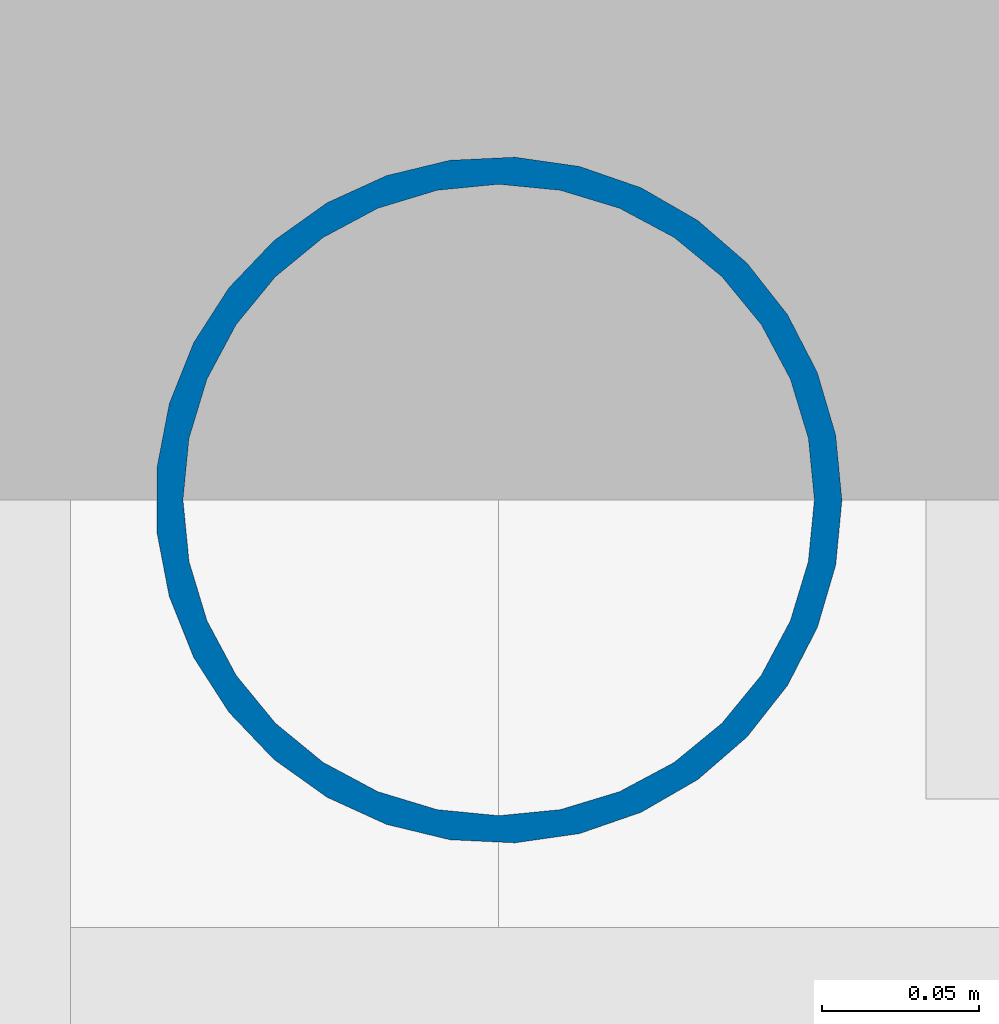
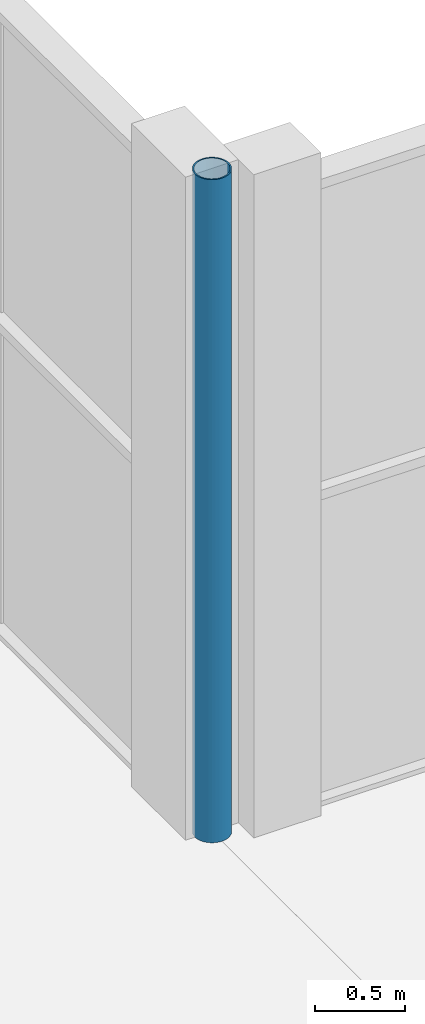
# One storey, part 2 of 75: 1 column.
"""IFC4 building model written with IfcOpenShell, lengths in metres."""

from ifc_helpers import new_model, si_unit, derived_unit, direction, frame, origin, origin_2d, place, context, subcontext, project, spatial, hollow_circle, extrude, material, material_profile, profile_set, type_object, element, save


model = new_model("IFC4")

# Units and contexts
model_context = context("Model", 3, precision=1e-05, world=origin(), true_north=direction((0.0, 1.0)))
body_context = subcontext(model_context, "Body", "Model", "MODEL_VIEW")
ifc_project = project(units=[si_unit("LENGTHUNIT", "METRE"), si_unit("AREAUNIT", "SQUARE_METRE"), si_unit("VOLUMEUNIT", "CUBIC_METRE"), si_unit("PLANEANGLEUNIT", "RADIAN"), si_unit("MASSUNIT", "GRAM", prefix="KILO"), derived_unit("THERMALTRANSMITTANCEUNIT", [(si_unit("POWERUNIT", "WATT"), 1), (si_unit("LENGTHUNIT", "METRE"), -2), (si_unit("THERMODYNAMICTEMPERATUREUNIT", "KELVIN"), -1)])], contexts=[model_context])

# Site, building, storey
site_placement = place(None, origin())
site = spatial("IfcSite", under=ifc_project, at=site_placement, CompositionType="ELEMENT")
building_placement = place(site_placement, origin())
building = spatial("IfcBuilding", under=site, at=building_placement, Name="Barrovel Congress Hotel", CompositionType="ELEMENT")
storey_placement = place(building_placement, frame((0.0, 0.0, 5.39990234375)))
storey = spatial("IfcBuildingStorey", under=building, at=storey_placement, Name="L01", CompositionType="ELEMENT", Elevation=5.39990234375)

# Column
ifc_material = material(Name="Steel ASTM A500 Grade C", Category="steel")
ifc_material_profile = material_profile(ifc_material, hollow_circle(Radius=0.109619140625, WallThickness=0.0087890625, at=origin_2d()), Name="CHS219.1x9.5")
ifc_profile_set = profile_set([ifc_material_profile], Name="Steel ASTM A500 Grade C")
column_type = type_object("IfcColumnType", Name="SCOL-CHS219.1x9.5", PredefinedType="COLUMN", material=ifc_profile_set)
column_placement = place(storey_placement, frame((58.800048828125, 46.199951171875, 0.0), z_axis=(0.0, 0.0, 1.0), x_axis=(1.0, 0.0, 0.0)))
element("IfcColumn", 1, at=column_placement, inside=storey, type_object=column_type, Name="COL:L01:58.8:46.2", PredefinedType="COLUMN", context=body_context, shape_type="SweptSolid", body=[
    extrude(hollow_circle(Radius=0.109619140625, WallThickness=0.0087890625, at=origin_2d()), origin(), (0.0, 0.0, 1.0), 4.5),
])

save(model, "model.ifc")
